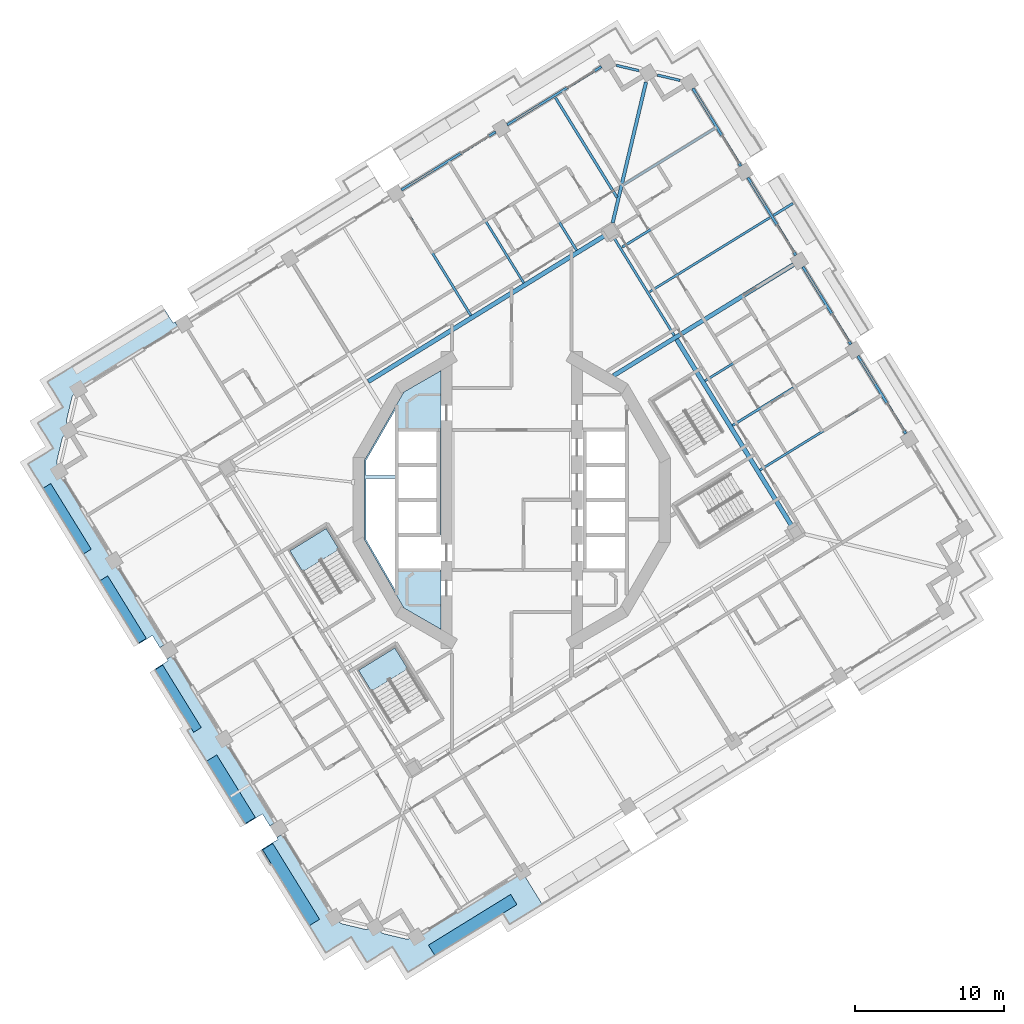
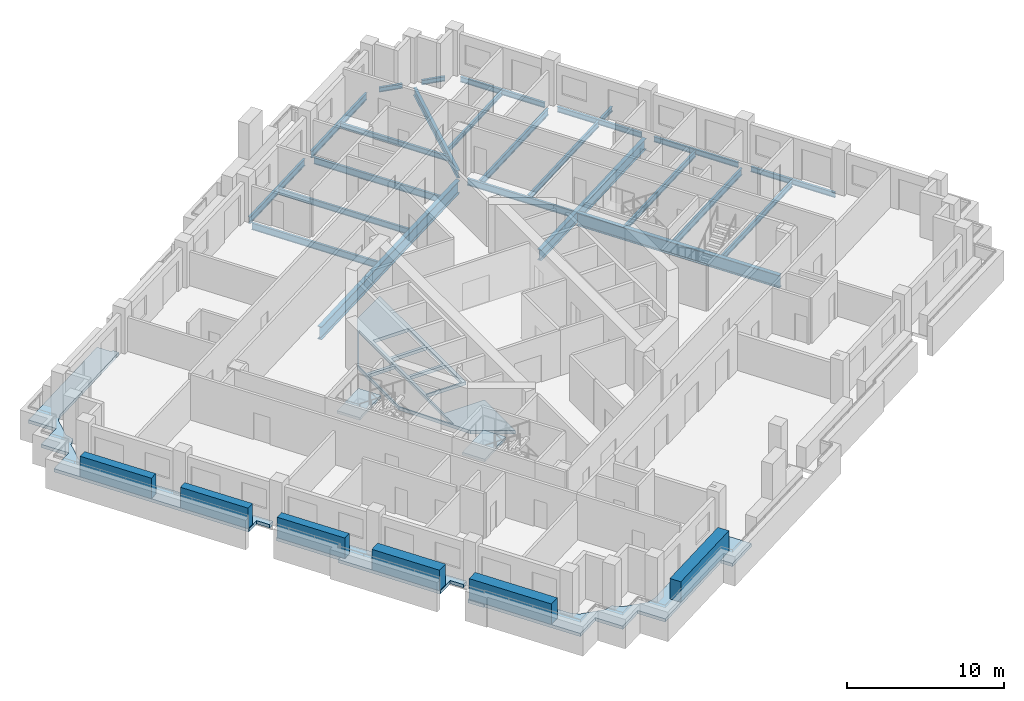
# One storey, part 2 of 21: 24 beams, 6 plates, 6 slabs, 2 elements without a shape of their own.
"""IFC4 building model written with IfcOpenShell, lengths in metres."""

from ifc_helpers import new_model, si_unit, direction, frame, origin, origin_2d, place, context, subcontext, project, spatial, polyline, rectangle, i_section, outline, extrude, material, layer, layer_set, material_profile, profile_set, type_object, element, aggregate, save


model = new_model("IFC4")

# Units and contexts
model_context = context("Model", 3, precision=1e-05, world=origin(), true_north=direction((0.0, 1.0)))
body_context = subcontext(model_context, "Body", "Model", "MODEL_VIEW")
ifc_project = project(units=[si_unit("LENGTHUNIT", "METRE"), si_unit("AREAUNIT", "SQUARE_METRE"), si_unit("VOLUMEUNIT", "CUBIC_METRE"), si_unit("PLANEANGLEUNIT", "RADIAN"), si_unit("MASSUNIT", "GRAM", prefix="KILO")], contexts=[model_context])

# Site, building, storey
site_placement = place(None, origin())
site = spatial("IfcSite", under=ifc_project, at=site_placement, CompositionType="ELEMENT")
building_placement = place(site_placement, origin())
building = spatial("IfcBuilding", under=site, at=building_placement, Name="Cantera Rosa Tower", CompositionType="ELEMENT")
storey_placement = place(building_placement, frame((0.0, 0.0, 170.39990234375)))
storey = spatial("IfcBuildingStorey", under=building, at=storey_placement, Name="L37", CompositionType="ELEMENT", Elevation=170.39990234375)

# Beams
ifc_material_1 = material(Name="Steel ASTM A992 (Fy 345 MPa)", Category="steel")
ifc_material_profile_1 = material_profile(ifc_material_1, i_section(OverallWidth=0.300048828125, OverallDepth=0.990966796875, WebThickness=0.0166015625, FlangeThickness=0.030517578125, FilletRadius=0.030029296875, at=origin_2d()), Name="W1000X272")
ifc_profile_set_1 = profile_set([ifc_material_profile_1], Name="Steel ASTM A992 (Fy 345 MPa)")
beam_type_1 = type_object("IfcBeamType", Name="STEEL BEAM W1000X272", PredefinedType="BEAM", material=ifc_profile_set_1)
beam_1_placement = place(storey_placement, frame((18.767822265625, -1.75927734375, -0.745361328125), z_axis=(-0.524974072618, 0.851118219215, 0.0), x_axis=(-0.851118219215, -0.524974072618, 0.0)))
element("IfcBeam", 1, at=beam_1_placement, inside=storey, type_object=beam_type_1, Name="RB-Z3-05 L37", PredefinedType="BEAM", context=body_context, shape_type="SweptSolid", body=[
    extrude(i_section(OverallWidth=0.300048828125, OverallDepth=0.990966796875, WebThickness=0.0166015625, FlangeThickness=0.030517578125, FilletRadius=0.030029296875, at=origin_2d()), origin(), (0.0, 0.0, 1.0), 14.7099609375),
])
ifc_material_2 = material(Name="Steel ASTM A992 (Fy 345 MPa)", Category="steel")
ifc_material_profile_2 = material_profile(ifc_material_2, i_section(OverallWidth=0.302001953125, OverallDepth=1.010009765625, WebThickness=0.02099609375, FlangeThickness=0.0400390625, FilletRadius=0.030029296875, at=origin_2d()), Name="W1000X350")
ifc_profile_set_2 = profile_set([ifc_material_profile_2], Name="Steel ASTM A992 (Fy 345 MPa)")
beam_type_2 = type_object("IfcBeamType", Name="STEEL BEAM W1000X350", PredefinedType="BEAM", material=ifc_profile_set_2)
beam_2_placement = place(storey_placement, frame((-9.607666015625, 7.93798828125, -0.7548828125), z_axis=(0.851118702028, 0.524973289852, 0.0), x_axis=(-0.524973289852, 0.851118702028, 0.0)))
element("IfcBeam", 2, at=beam_2_placement, inside=storey, type_object=beam_type_2, Name="RB-Z3-02 L37", PredefinedType="BEAM", context=body_context, shape_type="SweptSolid", body=[
    extrude(i_section(OverallWidth=0.302001953125, OverallDepth=1.010009765625, WebThickness=0.02099609375, FlangeThickness=0.0400390625, FilletRadius=0.030029296875, at=origin_2d()), origin(), (0.0, 0.0, 1.0), 18.610107421875),
])
ifc_material_3 = material(Name="Steel ASTM A992 (Fy 345 MPa)", Category="steel")
ifc_material_profile_3 = material_profile(ifc_material_3, i_section(OverallWidth=0.166015625, OverallDepth=0.528076171875, WebThickness=0.009765625, FlangeThickness=0.013671875, FilletRadius=0.0126953125, at=origin_2d()), Name="W530X74")
ifc_profile_set_3 = profile_set([ifc_material_profile_3], Name="Steel ASTM A992 (Fy 345 MPa)")
beam_type_3 = type_object("IfcBeamType", Name="STEEL BEAM W530X74", PredefinedType="BEAM", material=ifc_profile_set_3)
for number, where, z_axis, x_axis, name in (
    (3, (22.5673828125, 9.795654296875, -0.513916015625), (-0.851123779764, -0.524965057427, 0.0), (0.524965057427, -0.851123779764, 0.0), "G-Z3-02 L37"),
    (4, (15.19677734375, 21.745361328125, -0.513916015625), (-0.851123779764, -0.524965057427, 0.0), (0.524965057427, -0.851123779764, 0.0), "G-Z3-04 L37"),
):
    element("IfcBeam", number, at=place(storey_placement, frame(where, z_axis=z_axis, x_axis=x_axis)), inside=storey, type_object=beam_type_3, Name=name, PredefinedType="BEAM", context=body_context, shape_type="SweptSolid", body=[
        extrude(i_section(OverallWidth=0.166015625, OverallDepth=0.528076171875, WebThickness=0.009765625, FlangeThickness=0.013671875, FilletRadius=0.0126953125, at=origin_2d()), origin(), (0.0, 0.0, 1.0), 9.150146484375),
    ])
beam_3_placement = place(storey_placement, frame((-0.455078125, 24.51025390625, -0.513916015625), z_axis=(0.524976979362, -0.851116426313, 0.0), x_axis=(0.851116426313, 0.524976979362, 0.0)))
element("IfcBeam", 5, at=beam_3_placement, inside=storey, type_object=beam_type_3, Name="G-Z3-05 L37", PredefinedType="BEAM", context=body_context, shape_type="SweptSolid", body=[
    extrude(i_section(OverallWidth=0.166015625, OverallDepth=0.528076171875, WebThickness=0.009765625, FlangeThickness=0.013671875, FilletRadius=0.0126953125, at=origin_2d()), origin(), (0.0, 0.0, 1.0), 9.14990234375),
])
beam_4_placement = place(storey_placement, frame((-7.536376953125, 20.142578125, -0.513916015625), z_axis=(0.524965057427, -0.851123779764, 0.0), x_axis=(0.851123779764, 0.524965057427, 0.0)))
element("IfcBeam", 6, at=beam_4_placement, inside=storey, type_object=beam_type_3, Name="G-Z3-06 L37", PredefinedType="BEAM", context=body_context, shape_type="SweptSolid", body=[
    extrude(i_section(OverallWidth=0.166015625, OverallDepth=0.528076171875, WebThickness=0.009765625, FlangeThickness=0.013671875, FilletRadius=0.0126953125, at=origin_2d()), origin(), (0.0, 0.0, 1.0), 9.150146484375),
])
beam_5_placement = place(storey_placement, frame((10.887939453125, 11.015869140625, -0.513916015625), z_axis=(-0.52497571981, 0.851117203216, 0.0), x_axis=(-0.851117203216, -0.52497571981, 0.0)))
element("IfcBeam", 7, at=beam_5_placement, inside=storey, type_object=beam_type_3, Name="RB-Z3-06 L37", PredefinedType="BEAM", context=body_context, shape_type="SweptSolid", body=[
    extrude(i_section(OverallWidth=0.166015625, OverallDepth=0.528076171875, WebThickness=0.009765625, FlangeThickness=0.013671875, FilletRadius=0.0126953125, at=origin_2d()), origin(), (0.0, 0.0, 1.0), 7.690185546875),
])
ifc_material_4 = material(Name="Steel ASTM A992 (Fy 345 MPa)", Category="steel")
ifc_material_profile_4 = material_profile(ifc_material_4, i_section(OverallWidth=0.22802734375, OverallDepth=0.60205078125, WebThickness=0.010498046875, FlangeThickness=0.014892578125, FilletRadius=0.0126953125, at=origin_2d()), Name="W610X101")
ifc_profile_set_4 = profile_set([ifc_material_profile_4], Name="Steel ASTM A992 (Fy 345 MPa)")
beam_type_4 = type_object("IfcBeamType", Name="STEEL BEAM W610X101", PredefinedType="BEAM", material=ifc_profile_set_4)
beam_6_placement = place(storey_placement, frame((8.995361328125, 27.989501953125, -0.55078125), z_axis=(-0.230622120091, -0.973043389436, 0.0), x_axis=(0.973043389436, -0.230622120091, 0.0)))
element("IfcBeam", 8, at=beam_6_placement, inside=storey, type_object=beam_type_4, Name="CB-Z3-01 L37", PredefinedType="BEAM", context=body_context, shape_type="SweptSolid", body=[
    extrude(i_section(OverallWidth=0.22802734375, OverallDepth=0.60205078125, WebThickness=0.010498046875, FlangeThickness=0.014892578125, FilletRadius=0.0126953125, at=origin_2d()), origin(), (0.0, 0.0, 1.0), 9.6875),
])
ifc_material_5 = material(Name="Steel ASTM A992 (Fy 345 MPa)", Category="steel")
ifc_material_profile_5 = material_profile(ifc_material_5, i_section(OverallWidth=0.2919921875, OverallDepth=0.8359375, WebThickness=0.013916015625, FlangeThickness=0.018798828125, FilletRadius=0.017822265625, at=origin_2d()), Name="W840X176")
ifc_profile_set_5 = profile_set([ifc_material_profile_5], Name="Steel ASTM A992 (Fy 345 MPa)")
beam_type_5 = type_object("IfcBeamType", Name="STEEL BEAM W840X176", PredefinedType="BEAM", material=ifc_profile_set_5)
beam_7_placement = place(storey_placement, frame((18.882080078125, 15.7705078125, -0.66796875), z_axis=(-0.8511231456, -0.524966085595, 0.0), x_axis=(0.524966085595, -0.8511231456, 0.0)))
element("IfcBeam", 9, at=beam_7_placement, inside=storey, type_object=beam_type_5, Name="G-Z3-03 L37", PredefinedType="BEAM", context=body_context, shape_type="SweptSolid", body=[
    extrude(i_section(OverallWidth=0.2919921875, OverallDepth=0.8359375, WebThickness=0.013916015625, FlangeThickness=0.018798828125, FilletRadius=0.017822265625, at=origin_2d()), origin(), (0.0, 0.0, 1.0), 14.17138671875),
])
ifc_material_6 = material(Name="Steel ASTM A992 (Fy 345 MPa)", Category="steel")
ifc_material_profile_6 = material_profile(ifc_material_6, i_section(OverallWidth=0.1708984375, OverallDepth=0.35595703125, WebThickness=0.00732421875, FlangeThickness=0.01171875, FilletRadius=0.010009765625, at=origin_2d()), Name="W360X51")
ifc_profile_set_6 = profile_set([ifc_material_profile_6], Name="Steel ASTM A992 (Fy 345 MPa)")
beam_type_6 = type_object("IfcBeamType", Name="STEEL JOIST W360X51", PredefinedType="JOIST", material=ifc_profile_set_6)
beam_8_placement = place(storey_placement, frame((13.609375, 24.890380859375, -0.427978515625), z_axis=(-0.851109089911, -0.524988873283, 0.0), x_axis=(0.524988873283, -0.851109089911, 0.0)))
element("IfcBeam", 10, at=beam_8_placement, inside=storey, type_object=beam_type_6, Name="B-Z3-05 L37", PredefinedType="JOIST", context=body_context, shape_type="SweptSolid", body=[
    extrude(i_section(OverallWidth=0.1708984375, OverallDepth=0.35595703125, WebThickness=0.00732421875, FlangeThickness=0.01171875, FilletRadius=0.010009765625, at=origin_2d()), origin(), (0.0, 0.0, 1.0), 7.2099609375),
])
beam_9_placement = place(storey_placement, frame((17.532958984375, 19.0625, -0.427978515625), z_axis=(0.851148289142, 0.524925318393, 0.0), x_axis=(-0.524925318393, 0.851148289142, 0.0)))
element("IfcBeam", 11, at=beam_9_placement, inside=storey, type_object=beam_type_6, Name="BS-Z3-18 L37", PredefinedType="JOIST", context=body_context, shape_type="SweptSolid", body=[
    extrude(i_section(OverallWidth=0.1708984375, OverallDepth=0.35595703125, WebThickness=0.00732421875, FlangeThickness=0.01171875, FilletRadius=0.010009765625, at=origin_2d()), origin(), (0.0, 0.0, 1.0), 1.52978515625),
])
ifc_material_7 = material(Name="Steel ASTM A992 (Fy 345 MPa)", Category="steel")
ifc_material_profile_7 = material_profile(ifc_material_7, i_section(OverallWidth=0.177978515625, OverallDepth=0.406005859375, WebThickness=0.0078125, FlangeThickness=0.0126953125, FilletRadius=0.01025390625, at=origin_2d()), Name="W410X60")
ifc_profile_set_7 = profile_set([ifc_material_profile_7], Name="Steel ASTM A992 (Fy 345 MPa)")
beam_type_7 = type_object("IfcBeamType", Name="STEEL JOIST W410X60", PredefinedType="JOIST", material=ifc_profile_set_7)
beam_10_placement = place(storey_placement, frame((2.927978515625, 26.949462890625, -0.452880859375), z_axis=(0.524994840515, -0.85110540912, 0.0), x_axis=(0.85110540912, 0.524994840515, 0.0)))
element("IfcBeam", 12, at=beam_10_placement, inside=storey, type_object=beam_type_7, Name="B-Z3-06 L37", PredefinedType="JOIST", context=body_context, shape_type="SweptSolid", body=[
    extrude(i_section(OverallWidth=0.177978515625, OverallDepth=0.406005859375, WebThickness=0.0078125, FlangeThickness=0.0126953125, FilletRadius=0.01025390625, at=origin_2d()), origin(), (0.0, 0.0, 1.0), 7.860107421875),
])
ifc_material_8 = material(Name="Steel ASTM A992 (Fy 345 MPa)", Category="steel")
ifc_material_profile_8 = material_profile(ifc_material_8, i_section(OverallWidth=0.154052734375, OverallDepth=0.4599609375, WebThickness=0.009033203125, FlangeThickness=0.015380859375, FilletRadius=0.01025390625, at=origin_2d()), Name="W460X68")
ifc_profile_set_8 = profile_set([ifc_material_profile_8], Name="Steel ASTM A992 (Fy 345 MPa)")
beam_type_8 = type_object("IfcBeamType", Name="STEEL JOIST W460X68", PredefinedType="JOIST", material=ifc_profile_set_8)
for number, where, z_axis, x_axis, name in (
    (13, (24.665283203125, 6.9658203125, -0.47998046875), (-0.851118539758, -0.524973552935, 0.0), (0.524973552935, -0.851118539758, 0.0), "B-Z3-02 L37"),
    (14, (20.97998046875, 12.940673828125, -0.47998046875), (-0.851118539758, -0.524973552935, 0.0), (0.524973552935, -0.851118539758, 0.0), "B-Z3-03 L37"),
    (15, (17.294677734375, 18.91552734375, -0.47998046875), (-0.851118539758, -0.524973552935, 0.0), (0.524973552935, -0.851118539758, 0.0), "B-Z3-04 L37"),
):
    element("IfcBeam", number, at=place(storey_placement, frame(where, z_axis=z_axis, x_axis=x_axis)), inside=storey, type_object=beam_type_8, Name=name, PredefinedType="JOIST", context=body_context, shape_type="SweptSolid", body=[
        extrude(i_section(OverallWidth=0.154052734375, OverallDepth=0.4599609375, WebThickness=0.009033203125, FlangeThickness=0.015380859375, FilletRadius=0.01025390625, at=origin_2d()), origin(), (0.0, 0.0, 1.0), 9.449951171875),
    ])
beam_11_placement = place(storey_placement, frame((-4.1533203125, 22.581787109375, -0.47998046875), z_axis=(0.524980724235, -0.851114116427, 0.0), x_axis=(0.851114116427, 0.524980724235, 0.0)))
element("IfcBeam", 16, at=beam_11_placement, inside=storey, type_object=beam_type_8, Name="B-Z3-07 L37", PredefinedType="JOIST", context=body_context, shape_type="SweptSolid", body=[
    extrude(i_section(OverallWidth=0.154052734375, OverallDepth=0.4599609375, WebThickness=0.009033203125, FlangeThickness=0.015380859375, FilletRadius=0.01025390625, at=origin_2d()), origin(), (0.0, 0.0, 1.0), 9.4501953125),
])
ifc_material_9 = material(Name="Steel ASTM A992 (Fy 345 MPa)", Category="steel")
ifc_material_profile_9 = material_profile(ifc_material_9, i_section(OverallWidth=0.1708984375, OverallDepth=0.35595703125, WebThickness=0.00732421875, FlangeThickness=0.01171875, FilletRadius=0.010009765625, at=origin_2d()), Name="W360X51")
ifc_profile_set_9 = profile_set([ifc_material_profile_9], Name="Steel ASTM A992 (Fy 345 MPa)")
beam_type_9 = type_object("IfcBeamType", Name="STEEL SPANDREL BEAM W360X51", PredefinedType="SPANDREL", material=ifc_profile_set_9)
for number, where, z_axis, x_axis, name in (
    (17, (11.275146484375, 28.103271484375, -0.427978515625), (-0.973059906546, 0.230552419793, 0.0), (-0.230552419793, -0.973059906546, 0.0), "EB-Z3-06 L37"),
    (18, (8.52294921875, 28.755615234375, -0.427978515625), (-0.973059906546, 0.230552419793, 0.0), (-0.230552419793, -0.973059906546, 0.0), "EB-Z3-07 L37"),
):
    element("IfcBeam", number, at=place(storey_placement, frame(where, z_axis=z_axis, x_axis=x_axis)), inside=storey, type_object=beam_type_9, Name=name, PredefinedType="SPANDREL", context=body_context, shape_type="SweptSolid", body=[
        extrude(i_section(OverallWidth=0.1708984375, OverallDepth=0.35595703125, WebThickness=0.00732421875, FlangeThickness=0.01171875, FilletRadius=0.010009765625, at=origin_2d()), origin(), (0.0, 0.0, 1.0), 1.5556640625),
    ])
ifc_material_10 = material(Name="Steel ASTM A992 (Fy 345 MPa)", Category="steel")
ifc_material_profile_10 = material_profile(ifc_material_10, i_section(OverallWidth=0.177978515625, OverallDepth=0.406005859375, WebThickness=0.0078125, FlangeThickness=0.0126953125, FilletRadius=0.01025390625, at=origin_2d()), Name="W410X60")
ifc_profile_set_10 = profile_set([ifc_material_profile_10], Name="Steel ASTM A992 (Fy 345 MPa)")
beam_type_10 = type_object("IfcBeamType", Name="STEEL SPANDREL BEAM W410X60", PredefinedType="SPANDREL", material=ifc_profile_set_10)
for number, where, z_axis, x_axis, name in (
    (19, (26.3994140625, 4.440185546875, -0.452880859375), (-0.524987447654, 0.851109969279, 0.0), (-0.851109969279, -0.524987447654, 0.0), "EB-Z3-02 L37"),
    (20, (22.714111328125, 10.4150390625, -0.452880859375), (-0.524987447654, 0.851109969279, 0.0), (-0.851109969279, -0.524987447654, 0.0), "EB-Z3-03 L37"),
    (21, (19.02880859375, 16.389892578125, -0.452880859375), (-0.524987447654, 0.851109969279, 0.0), (-0.851109969279, -0.524987447654, 0.0), "EB-Z3-04 L37"),
    (22, (15.343505859375, 22.36474609375, -0.452880859375), (-0.524987447654, 0.851109969279, 0.0), (-0.851109969279, -0.524987447654, 0.0), "EB-Z3-05 L37"),
):
    element("IfcBeam", number, at=place(storey_placement, frame(where, z_axis=z_axis, x_axis=x_axis)), inside=storey, type_object=beam_type_10, Name=name, PredefinedType="SPANDREL", context=body_context, shape_type="SweptSolid", body=[
        extrude(i_section(OverallWidth=0.177978515625, OverallDepth=0.406005859375, WebThickness=0.0078125, FlangeThickness=0.0126953125, FilletRadius=0.01025390625, at=origin_2d()), origin(), (0.0, 0.0, 1.0), 6.119873046875),
    ])
ifc_material_11 = material(Name="Steel ASTM A992 (Fy 345 MPa)", Category="steel")
ifc_material_profile_11 = material_profile(ifc_material_11, i_section(OverallWidth=0.166015625, OverallDepth=0.528076171875, WebThickness=0.009765625, FlangeThickness=0.013671875, FilletRadius=0.0126953125, at=origin_2d()), Name="W530X74")
ifc_profile_set_11 = profile_set([ifc_material_profile_11], Name="Steel ASTM A992 (Fy 345 MPa)")
beam_type_11 = type_object("IfcBeamType", Name="STEEL SPANDREL BEAM W530X74", PredefinedType="SPANDREL", material=ifc_profile_set_11)
for number, where, z_axis, x_axis, name in (
    (23, (6.007080078125, 29.02490234375, -0.513916015625), (-0.851111085575, -0.524985637909, 0.0), (0.524985637909, -0.851111085575, 0.0), "EB-Z3-08 L37"),
    (24, (-1.07421875, 24.656982421875, -0.513916015625), (-0.85112578684, -0.524961803349, 0.0), (0.524961803349, -0.85112578684, 0.0), "EB-Z3-09 L37"),
):
    element("IfcBeam", number, at=place(storey_placement, frame(where, z_axis=z_axis, x_axis=x_axis)), inside=storey, type_object=beam_type_11, Name=name, PredefinedType="SPANDREL", context=body_context, shape_type="SweptSolid", body=[
        extrude(i_section(OverallWidth=0.166015625, OverallDepth=0.528076171875, WebThickness=0.009765625, FlangeThickness=0.013671875, FilletRadius=0.0126953125, at=origin_2d()), origin(), (0.0, 0.0, 1.0), 7.420166015625),
    ])

# Slabs
ifc_material_12 = material(Name="Concrete C35/45", Category="concrete")
ifc_layer_1 = layer(ifc_material_12, 0.25)
ifc_layer_set_1 = layer_set([ifc_layer_1], Name="COMPOSITE FLOOR SLAB 250 C35/45")
slab_type_1 = type_object("IfcSlabType", Name="COMPOSITE FLOOR SLAB 250 C35/45", PredefinedType="FLOOR", material=ifc_layer_set_1)
slab_1_placement = place(storey_placement, frame((0.0, 0.0, -0.25)))
element("IfcSlab", 25, at=slab_1_placement, inside=storey, type_object=slab_type_1, Name="SLAB L37 floor 1", PredefinedType="FLOOR", context=body_context, shape_type="SweptSolid", body=[
    extrude(outline(polyline([(-4.75, 8.660400390625), (-4.75, -2.35009765625), (-7.699951171875, -2.35009765625), (-7.699951171875, -4.699951171875), (-4.75, -4.699951171875), (-4.75, -8.660400390625), (-7.22900390625, -7.22900390625), (-9.875244140625, -2.64599609375), (-9.875244140625, 2.64599609375), (-7.22900390625, 7.22900390625), (-4.75, 8.660400390625)]), holes=[polyline([(-9.775146484375, 1.439208984375), (-9.775146484375, -2.619384765625), (-7.800048828125, -6.040283203125), (-7.800048828125, 1.439208984375), (-9.775146484375, 1.439208984375)]), polyline([(-7.60009765625, -2.25), (-5.0, -2.25), (-5.0, -0.10009765625), (-7.60009765625, -0.10009765625), (-7.60009765625, -2.25)]), polyline([(-7.60009765625, 0.10009765625), (-5.0, 0.10009765625), (-5.0, 2.25), (-7.60009765625, 2.25), (-7.60009765625, 0.10009765625)]), polyline([(-7.60009765625, 2.449951171875), (-5.0, 2.449951171875), (-5.0, 4.60009765625), (-7.60009765625, 4.60009765625), (-7.60009765625, 2.449951171875)]), polyline([(-9.775146484375, 2.619384765625), (-9.775146484375, 1.639404296875), (-7.800048828125, 1.639404296875), (-7.800048828125, 6.040283203125), (-9.775146484375, 2.619384765625)])]), origin(), (0.0, 0.0, 1.0), 0.25),
])
ifc_material_13 = material(Name="Concrete C35/45", Category="concrete")
ifc_layer_2 = layer(ifc_material_13, 0.25)
ifc_layer_set_2 = layer_set([ifc_layer_2], Name="LOGGIA SLAB 250 C35/45")
slab_type_2 = type_object("IfcSlabType", Name="LOGGIA SLAB 250 C35/45", PredefinedType="FLOOR", material=ifc_layer_set_2)
slab_2_placement = place(storey_placement, frame((0.0, 0.0, -0.25)))
element("IfcSlab", 26, at=slab_2_placement, inside=storey, type_object=slab_type_2, Name="LOGGIA SLAB L37 1", PredefinedType="FLOOR", context=body_context, shape_type="SweptSolid", body=[
    extrude(outline(polyline([(-31.1083984375, 3.1943359375), (-30.682861328125, 3.456787109375), (-30.9453125, 3.88232421875), (-31.73291015625, 5.1591796875), (-30.456298828125, 5.946533203125), (-30.03076171875, 6.208984375), (-30.293212890625, 6.634521484375), (-31.08056640625, 7.911376953125), (-29.803955078125, 8.69873046875), (-23.999267578125, 12.279052734375), (-23.2333984375, 12.75146484375), (-22.68212890625, 11.85791015625), (-22.554443359375, 11.9365234375), (-22.318115234375, 11.5537109375), (-29.0166015625, 7.422119140625), (-29.38818359375, 7.00146484375), (-29.406494140625, 6.978515625), (-29.422607421875, 6.953857421875), (-29.43603515625, 6.927490234375), (-29.447021484375, 6.900390625), (-29.455078125, 6.8720703125), (-29.81396484375, 5.3583984375), (-29.8193359375, 5.329345703125), (-29.82177734375, 5.300048828125), (-29.8212890625, 5.2705078125), (-29.818115234375, 5.2412109375), (-29.81201171875, 5.21240234375), (-29.668701171875, 4.669921875), (-30.040283203125, 4.249267578125), (-30.05859375, 4.226318359375), (-30.07470703125, 4.20166015625), (-30.08837890625, 4.17529296875), (-30.09912109375, 4.148193359375), (-30.107421875, 4.119873046875), (-30.46630859375, 2.606201171875), (-30.4716796875, 2.5771484375), (-30.47412109375, 2.5478515625), (-30.4736328125, 2.518310546875), (-30.470458984375, 2.489013671875), (-30.46435546875, 2.460205078125), (-30.321044921875, 1.917724609375), (-23.1865234375, -9.64892578125), (-23.569580078125, -9.88525390625), (-24.068359375, -9.07666015625), (-24.9619140625, -9.6279296875), (-25.014404296875, -9.542724609375), (-27.125, -6.121337890625), (-28.69970703125, -3.568115234375), (-31.59765625, 1.130126953125), (-32.38525390625, 2.406982421875), (-31.1083984375, 3.1943359375)])), origin(), (0.0, 0.0, 1.0), 0.25),
])
slab_3_placement = place(storey_placement, frame((0.0, 0.0, -0.25)))
element("IfcSlab", 27, at=slab_3_placement, inside=storey, type_object=slab_type_2, Name="LOGGIA SLAB L37 2", PredefinedType="FLOOR", context=body_context, shape_type="SweptSolid", body=[
    extrude(outline(polyline([(-23.09716796875, -10.651123046875), (-22.714111328125, -10.4150390625), (-15.81591796875, -21.5986328125), (-16.198974609375, -21.8349609375), (-16.69775390625, -21.0263671875), (-17.829345703125, -21.724365234375), (-21.714111328125, -15.426513671875), (-21.47607421875, -15.279541015625), (-23.439697265625, -12.09619140625), (-23.912109375, -11.330078125), (-23.018310546875, -10.77880859375), (-23.09716796875, -10.651123046875)])), origin(), (0.0, 0.0, 1.0), 0.25),
])
slab_4_placement = place(storey_placement, frame((0.0, 0.0, -0.25)))
element("IfcSlab", 28, at=slab_4_placement, inside=storey, type_object=slab_type_2, Name="LOGGIA SLAB L37 4", PredefinedType="FLOOR", context=body_context, shape_type="SweptSolid", body=[
    extrude(outline(polyline([(-7.994384765625, -29.898193359375), (-8.249755859375, -30.0556640625), (-9.696533203125, -30.9482421875), (-10.589111328125, -29.501220703125), (-10.74658203125, -29.245849609375), (-11.001953125, -29.4033203125), (-12.44873046875, -30.2958984375), (-13.34130859375, -28.84912109375), (-16.09228515625, -24.388916015625), (-16.16015625, -24.4306640625), (-16.779296875, -23.426513671875), (-15.647705078125, -22.728515625), (-15.7265625, -22.600830078125), (-15.343505859375, -22.36474609375), (-12.408935546875, -27.122314453125), (-11.894287109375, -27.95654296875), (-11.4736328125, -28.328125), (-11.45068359375, -28.346435546875), (-11.426025390625, -28.362548828125), (-11.39990234375, -28.376220703125), (-11.37255859375, -28.386962890625), (-11.34423828125, -28.395263671875), (-9.83056640625, -28.75390625), (-9.801513671875, -28.75927734375), (-9.772216796875, -28.76171875), (-9.742919921875, -28.761474609375), (-9.713623046875, -28.75830078125), (-9.684814453125, -28.752197265625), (-9.14208984375, -28.60888671875), (-8.721435546875, -28.98046875), (-8.698486328125, -28.998779296875), (-8.673828125, -29.014892578125), (-8.647705078125, -29.0283203125), (-8.620361328125, -29.039306640625), (-8.592041015625, -29.047607421875), (-7.078369140625, -29.40625), (-7.049560546875, -29.41162109375), (-7.02001953125, -29.4140625), (-6.99072265625, -29.413818359375), (-6.96142578125, -29.410400390625), (-6.9326171875, -29.404296875), (-6.389892578125, -29.260986328125), (0.69140625, -24.893310546875), (2.031005859375, -27.065185546875), (-0.14111328125, -28.40478515625), (-0.588134765625, -27.6796875), (-5.49755859375, -30.7080078125), (-6.9443359375, -31.600341796875), (-7.8369140625, -30.153564453125), (-7.994384765625, -29.898193359375)])), origin(), (0.0, 0.0, 1.0), 0.25),
])

# Plates
ifc_material_14 = material(Name="Cantera stone planter with soil", Category="masonry")
plate_type_1 = type_object("IfcPlateType", Name="PLANTER 600", PredefinedType="USERDEFINED", material=ifc_material_14)
plate_1_placement = place(storey_placement, frame((-29.775390625, -1.2529296875, 0.0), z_axis=(0.0, 0.0, 1.0), x_axis=(0.52497658034, -0.851116672434, 0.0)))
element("IfcPlate", 29, at=plate_1_placement, inside=storey, type_object=plate_type_1, Name="PLANTER L37-11", ObjectType="PLANTER", PredefinedType="USERDEFINED", context=body_context, shape_type="SweptSolid", body=[
    extrude(rectangle(XDim=5.169921875, YDim=0.60009765625, at=origin_2d()), origin(), (0.0, 0.0, 1.0), 1.60009765625),
])
for number, where, z_axis, x_axis, name in (
    (30, (-26.0244140625, -7.333984375, 0.0), (0.0, 0.0, 1.0), (0.52497658034, -0.851116672434, 0.0), "PLANTER L37-12"),
    (31, (-22.339111328125, -13.308837890625, 0.0), (0.0, 0.0, 1.0), (0.52497658034, -0.851116672434, 0.0), "PLANTER L37-13"),
):
    element("IfcPlate", number, at=place(storey_placement, frame(where, z_axis=z_axis, x_axis=x_axis)), inside=storey, type_object=plate_type_1, Name=name, ObjectType="PLANTER", PredefinedType="USERDEFINED", context=body_context, shape_type="SweptSolid", body=[
        extrude(rectangle(XDim=4.919921875, YDim=0.60009765625, at=origin_2d()), origin(), (0.0, 0.0, 1.0), 1.60009765625),
    ])
ifc_material_15 = material(Name="Cantera stone planter with soil", Category="masonry")
plate_type_2 = type_object("IfcPlateType", Name="PLANTER 800", PredefinedType="USERDEFINED", material=ifc_material_15)
plate_2_placement = place(storey_placement, frame((-18.806640625, -19.378173828125, 0.0), z_axis=(0.0, 0.0, 1.0), x_axis=(0.52497658034, -0.851116672434, 0.0)))
element("IfcPlate", 32, at=plate_2_placement, inside=storey, type_object=plate_type_2, Name="PLANTER L37-14", ObjectType="PLANTER", PredefinedType="USERDEFINED", context=body_context, shape_type="SweptSolid", body=[
    extrude(rectangle(XDim=4.919921875, YDim=0.800048828125, at=origin_2d()), origin(), (0.0, 0.0, 1.0), 1.60009765625),
])
plate_3_placement = place(storey_placement, frame((-14.77783203125, -25.758056640625, 0.0), z_axis=(0.0, 0.0, 1.0), x_axis=(0.52497658034, -0.851116672434, 0.0)))
element("IfcPlate", 33, at=plate_3_placement, inside=storey, type_object=plate_type_2, Name="PLANTER L37-15", ObjectType="PLANTER", PredefinedType="USERDEFINED", context=body_context, shape_type="SweptSolid", body=[
    extrude(rectangle(XDim=5.969970703125, YDim=0.800048828125, at=origin_2d()), origin(), (0.0, 0.0, 1.0), 1.60009765625),
])
plate_4_placement = place(storey_placement, frame((-2.61376953125, -28.459228515625, 0.0), z_axis=(0.0, 0.0, 1.0), x_axis=(0.851116672434, 0.52497658034, 0.0)))
element("IfcPlate", 34, at=plate_4_placement, inside=storey, type_object=plate_type_2, Name="PLANTER L37-16", ObjectType="PLANTER", PredefinedType="USERDEFINED", context=body_context, shape_type="SweptSolid", body=[
    extrude(rectangle(XDim=6.469970703125, YDim=0.800048828125, at=origin_2d()), origin(), (0.0, 0.0, 1.0), 1.60009765625),
])

# Stair, slab
ifc_material_16 = material(Name="Concrete C35/45", Category="concrete")
stair_type = type_object("IfcStairType", Name="EXIT STAIR 1350 DOGLEG", PredefinedType="HALF_TURN_STAIR", material=ifc_material_16)
stair_1_placement = place(storey_placement, origin())
stair_1 = element("IfcStair", 35, at=stair_1_placement, inside=storey, type_object=stair_type, Name="L37 ST-32", PredefinedType="HALF_TURN_STAIR")
ifc_material_17 = material(Name="Concrete C35/45", Category="concrete")
ifc_layer_3 = layer(ifc_material_17, 0.199951171875)
ifc_layer_set_3 = layer_set([ifc_layer_3], Name="STAIR LANDING 200")
slab_type_3 = type_object("IfcSlabType", Name="STAIR LANDING 200", PredefinedType="LANDING", material=ifc_layer_set_3)
slab_5_placement = place(storey_placement, frame((0.0, 0.0, 1.7001953125)))
slab_5 = element("IfcSlab", 36, at=slab_5_placement, type_object=slab_type_3, Name="ST-32 landing 1", PredefinedType="LANDING", context=body_context, shape_type="SweptSolid", body=[
    extrude(outline(polyline([(-11.56884765625, -3.308837890625), (-12.430908203125, -1.911376953125), (-14.8564453125, -3.407470703125), (-13.99462890625, -4.80517578125), (-11.56884765625, -3.308837890625)])), origin(), (0.0, 0.0, 1.0), 0.199951171875),
])
aggregate(stair_1, [slab_5])

stair_2_placement = place(storey_placement, origin())
stair_2 = element("IfcStair", 37, at=stair_2_placement, inside=storey, type_object=stair_type, Name="L37 ST-33", PredefinedType="HALF_TURN_STAIR")
slab_6_placement = place(storey_placement, frame((0.0, 0.0, 1.7001953125)))
slab_6 = element("IfcSlab", 38, at=slab_6_placement, type_object=slab_type_3, Name="ST-33 landing 1", PredefinedType="LANDING", context=body_context, shape_type="SweptSolid", body=[
    extrude(outline(polyline([(-6.96875, -11.308837890625), (-7.830810546875, -9.911376953125), (-10.256591796875, -11.407470703125), (-9.39453125, -12.80517578125), (-6.96875, -11.308837890625)])), origin(), (0.0, 0.0, 1.0), 0.199951171875),
])
aggregate(stair_2, [slab_6])

save(model, "model.ifc")
